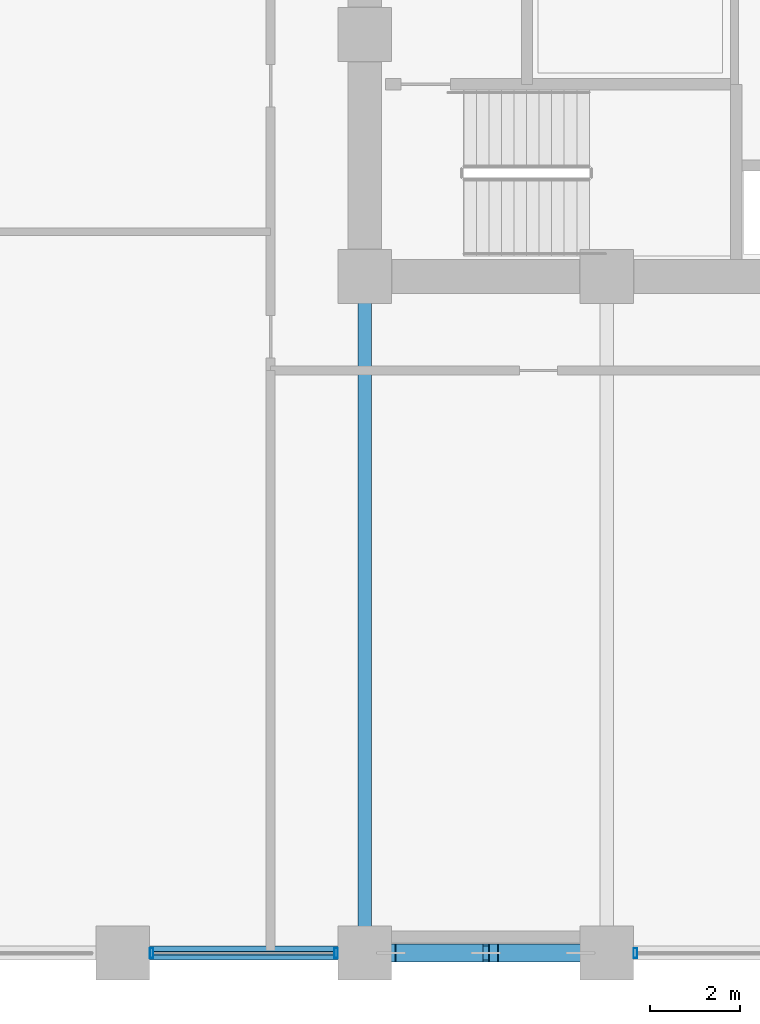
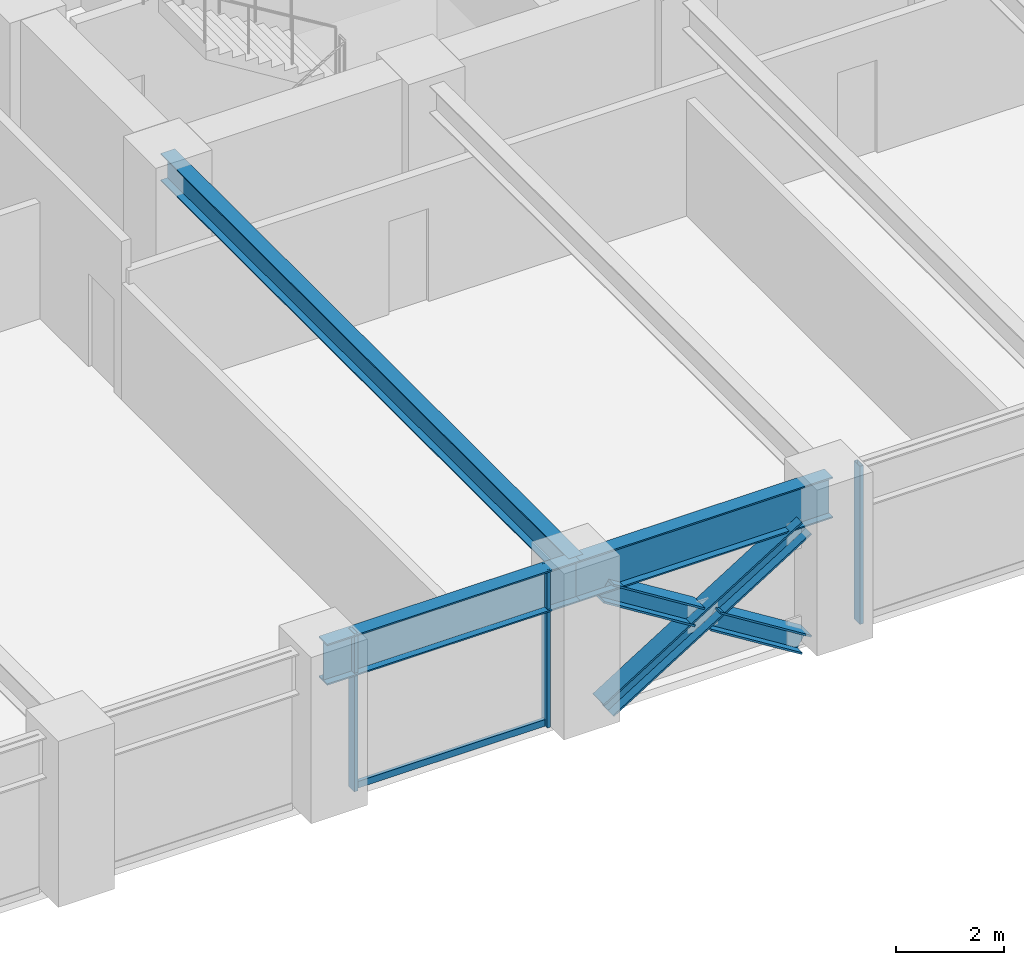
# One storey, part 4 of 26: 7 members, 3 beams, 2 elements without a shape of their own.
"""IFC4 building model written with IfcOpenShell, lengths in metres."""

from ifc_helpers import new_model, si_unit, direction, frame, origin, origin_2d, place, context, subcontext, project, spatial, hollow_rectangle, i_section, extrude, material, layer, layer_set, material_profile, profile_set, type_object, element, aggregate, save


model = new_model("IFC4")

# Units and contexts
model_context = context("Model", 3, precision=1e-05, world=origin(), true_north=direction((0.0, 1.0)))
body_context = subcontext(model_context, "Body", "Model", "MODEL_VIEW")
ifc_project = project(units=[si_unit("LENGTHUNIT", "METRE"), si_unit("AREAUNIT", "SQUARE_METRE"), si_unit("VOLUMEUNIT", "CUBIC_METRE"), si_unit("PLANEANGLEUNIT", "RADIAN"), si_unit("MASSUNIT", "GRAM", prefix="KILO")], contexts=[model_context])

# Site, building, storey
site_placement = place(None, origin())
site = spatial("IfcSite", under=ifc_project, at=site_placement, CompositionType="ELEMENT")
building_placement = place(site_placement, origin())
building = spatial("IfcBuilding", under=site, at=building_placement, Name="Surkhivell Harbour Commons", CompositionType="ELEMENT")
storey_placement = place(building_placement, frame((0.0, 0.0, 60.0)))
storey = spatial("IfcBuildingStorey", under=building, at=storey_placement, Name="L15", CompositionType="ELEMENT", Elevation=60.0)

# Beams
ifc_material_1 = material(Name="Steel S355", Category="steel")
ifc_material_profile_1 = material_profile(ifc_material_1, i_section(OverallWidth=0.306884765625, OverallDepth=0.6201171875, WebThickness=0.01416015625, FlangeThickness=0.023681640625, at=origin_2d()), Name="UB610x305x179")
ifc_profile_set_1 = profile_set([ifc_material_profile_1], Name="Steel S355")
beam_type_1 = type_object("IfcBeamType", Name="BM-GRD-610A", PredefinedType="BEAM", material=ifc_profile_set_1)
beam_1_placement = place(storey_placement, frame((-10.800048828125, -25.89990234375, 3.260009765625), z_axis=(0.0, 1.0, 0.0), x_axis=(-1.0, 0.0, 0.0)))
element("IfcBeam", 1, at=beam_1_placement, inside=storey, type_object=beam_type_1, Name="L15 Floor Girder (-10.8,-25.9)", PredefinedType="BEAM", context=body_context, shape_type="SweptSolid", body=[
    extrude(i_section(OverallWidth=0.306884765625, OverallDepth=0.6201171875, WebThickness=0.01416015625, FlangeThickness=0.023681640625, at=origin_2d()), origin(), (0.0, 0.0, 1.0), 15.099853515625),
])
ifc_material_2 = material(Name="Steel S460", Category="steel")
ifc_material_profile_2 = material_profile(ifc_material_2, i_section(OverallWidth=0.30810546875, OverallDepth=0.927001953125, WebThickness=0.01953125, FlangeThickness=0.031982421875, at=origin_2d()), Name="UB914x305x289")
ifc_profile_set_2 = profile_set([ifc_material_profile_2], Name="Steel S460")
beam_type_2 = type_object("IfcBeamType", Name="BM-SPN-914B", PredefinedType="SPANDREL", material=ifc_profile_set_2)
beam_2_placement = place(storey_placement, frame((-16.199951171875, -25.89990234375, 3.1064453125), z_axis=(1.0, 0.0, 0.0), x_axis=(0.0, 1.0, 0.0)))
element("IfcBeam", 2, at=beam_2_placement, inside=storey, type_object=beam_type_2, Name="L15 Tube Spandrel (-16.2,-25.9)", PredefinedType="SPANDREL", context=body_context, shape_type="SweptSolid", body=[
    extrude(i_section(OverallWidth=0.30810546875, OverallDepth=0.927001953125, WebThickness=0.01953125, FlangeThickness=0.031982421875, at=origin_2d()), origin(), (0.0, 0.0, 1.0), 5.39990234375),
])
beam_3_placement = place(storey_placement, frame((-10.800048828125, -25.89990234375, 3.1064453125), z_axis=(1.0, 0.0, 0.0), x_axis=(0.0, 1.0, 0.0)))
element("IfcBeam", 3, at=beam_3_placement, inside=storey, type_object=beam_type_2, Name="L15 Tube Spandrel (-10.8,-25.9)", PredefinedType="SPANDREL", context=body_context, shape_type="SweptSolid", body=[
    extrude(i_section(OverallWidth=0.30810546875, OverallDepth=0.927001953125, WebThickness=0.01953125, FlangeThickness=0.031982421875, at=origin_2d()), origin(), (0.0, 0.0, 1.0), 5.400146484375),
])

# Curtain wall, members
ifc_material_3 = material(Name="Anodised pale-metal aluminium and insulated glazing", Category="aluminium")
ifc_layer = layer(ifc_material_3, 0.219970703125)
ifc_layer_set = layer_set([ifc_layer], Name="Anodised pale-metal aluminium and insulated glazing")
curtain_wall_type = type_object("IfcCurtainWallType", Name="CW-SYS-Z1", PredefinedType="NOTDEFINED", material=ifc_layer_set)
curtain_wall_1_placement = place(storey_placement, origin())
curtain_wall_1 = element("IfcCurtainWall", 4, at=curtain_wall_1_placement, inside=storey, type_object=curtain_wall_type, Name="L15 Curtain Wall CW-L15-E00S1", PredefinedType="NOTDEFINED")
ifc_material_4 = material(Name="Anodised pale-metal aluminium alloy 6063-T6", Category="aluminium")
ifc_material_profile_3 = material_profile(ifc_material_4, hollow_rectangle(XDim=0.074951171875, YDim=0.219970703125, WallThickness=0.00390625, at=origin_2d()), Name="ALU-MULL-75x220")
ifc_profile_set_3 = profile_set([ifc_material_profile_3], Name="Anodised pale-metal aluminium alloy 6063-T6")
member_type_1 = type_object("IfcMemberType", Name="CWM-220", PredefinedType="MULLION", material=ifc_profile_set_3)
member_1_placement = place(storey_placement, frame((-15.560546875, -25.89990234375, 0.0), z_axis=(0.0, 0.0, 1.0), x_axis=(1.0, 0.0, 0.0)))
member_1 = element("IfcMember", 5, at=member_1_placement, type_object=member_type_1, Name="CW-Z1 mullion 3", PredefinedType="MULLION", context=body_context, shape_type="SweptSolid", body=[
    extrude(hollow_rectangle(XDim=0.074951171875, YDim=0.219970703125, WallThickness=0.00390625, at=origin_2d()), origin(), (0.0, 0.0, 1.0), 3.570068359375),
])
member_2_placement = place(storey_placement, frame((-11.439453125, -25.89990234375, 0.0), z_axis=(0.0, 0.0, 1.0), x_axis=(1.0, 0.0, 0.0)))
member_2 = element("IfcMember", 6, at=member_2_placement, type_object=member_type_1, Name="CW-Z1 mullion 4", PredefinedType="MULLION", context=body_context, shape_type="SweptSolid", body=[
    extrude(hollow_rectangle(XDim=0.074951171875, YDim=0.219970703125, WallThickness=0.00390625, at=origin_2d()), origin(), (0.0, 0.0, 1.0), 3.570068359375),
])

# Curtain wall, member
curtain_wall_2_placement = place(storey_placement, origin())
curtain_wall_2 = element("IfcCurtainWall", 7, at=curtain_wall_2_placement, inside=storey, type_object=curtain_wall_type, Name="L15 Curtain Wall CW-L15-E00S2", PredefinedType="NOTDEFINED")
member_3_placement = place(storey_placement, frame((-4.760498046875, -25.89990234375, 0.0), z_axis=(0.0, 0.0, 1.0), x_axis=(1.0, 0.0, 0.0)))
member_3 = element("IfcMember", 8, at=member_3_placement, type_object=member_type_1, Name="CW-Z1 mullion 1", PredefinedType="MULLION", context=body_context, shape_type="SweptSolid", body=[
    extrude(hollow_rectangle(XDim=0.074951171875, YDim=0.219970703125, WallThickness=0.00390625, at=origin_2d()), origin(), (0.0, 0.0, 1.0), 3.570068359375),
])
aggregate(curtain_wall_2, [member_3])

# Member
ifc_material_profile_4 = material_profile(ifc_material_4, hollow_rectangle(XDim=0.074951171875, YDim=0.14990234375, WallThickness=0.00341796875, at=origin_2d()), Name="ALU-TRAN-75x150")
ifc_profile_set_4 = profile_set([ifc_material_profile_4], Name="Anodised pale-metal aluminium alloy 6063-T6")
member_type_2 = type_object("IfcMemberType", Name="CWT-150", PredefinedType="USERDEFINED", material=ifc_profile_set_4)
member_4_placement = place(storey_placement, frame((-15.52294921875, -25.89990234375, 0.074951171875), z_axis=(1.0, 0.0, 0.0), x_axis=(0.0, 1.0, 0.0)))
member_4 = element("IfcMember", 9, at=member_4_placement, type_object=member_type_2, Name="CW-Z1 transom 3.1", ObjectType="TRANSOM", PredefinedType="USERDEFINED", context=body_context, shape_type="SweptSolid", body=[
    extrude(hollow_rectangle(XDim=0.074951171875, YDim=0.14990234375, WallThickness=0.00341796875, at=origin_2d()), origin(), (0.0, 0.0, 1.0), 4.0458984375),
])

aggregate(curtain_wall_1, [member_1, member_2, member_4])

# Members
ifc_material_profile_5 = material_profile(ifc_material_2, i_section(OverallWidth=0.406005859375, OverallDepth=0.416015625, WebThickness=0.026611328125, FlangeThickness=0.0390625, at=origin_2d()), Name="HD400x382")
ifc_profile_set_5 = profile_set([ifc_material_profile_5], Name="Steel S460")
member_type_3 = type_object("IfcMemberType", Name="MEM-BRC-HD382", PredefinedType="BRACE", material=ifc_profile_set_5)
member_5_placement = place(storey_placement, frame((-10.215087890625, -25.89990234375, 0.008056640625), z_axis=(0.848432685315, 0.0, 0.529303295369), x_axis=(0.0, 1.0, 0.0)))
element("IfcMember", 10, at=member_5_placement, inside=storey, type_object=member_type_3, Name="L15 Perimeter Mega-Brace MB- 07", PredefinedType="BRACE", context=body_context, shape_type="SweptSolid", body=[
    extrude(i_section(OverallWidth=0.406005859375, OverallDepth=0.416015625, WebThickness=0.026611328125, FlangeThickness=0.0390625, at=origin_2d()), origin(), (0.0, 0.0, 1.0), 4.985595703125),
])
member_6_placement = place(storey_placement, frame((-5.985107421875, -25.89990234375, 0.008056640625), z_axis=(-0.848458555811, 0.0, 0.529261824688), x_axis=(0.0, -1.0, 0.0)))
element("IfcMember", 11, at=member_6_placement, inside=storey, type_object=member_type_3, Name="L15 Perimeter Mega-Brace MB- 08", PredefinedType="BRACE", context=body_context, shape_type="SweptSolid", body=[
    extrude(i_section(OverallWidth=0.406005859375, OverallDepth=0.416015625, WebThickness=0.026611328125, FlangeThickness=0.0390625, at=origin_2d()), origin(), (0.0, 0.0, 1.0), 2.29296875),
])
member_7_placement = place(storey_placement, frame((-8.269287109375, -25.89990234375, 1.43310546875), z_axis=(-0.84844057108, 0.0, 0.529290654882), x_axis=(0.0, -1.0, 0.0)))
element("IfcMember", 12, at=member_7_placement, inside=storey, type_object=member_type_3, Name="L15 Perimeter Mega-Brace MB- 09", PredefinedType="BRACE", context=body_context, shape_type="SweptSolid", body=[
    extrude(i_section(OverallWidth=0.406005859375, OverallDepth=0.416015625, WebThickness=0.026611328125, FlangeThickness=0.0390625, at=origin_2d()), origin(), (0.0, 0.0, 1.0), 2.29345703125),
])

save(model, "model.ifc")
